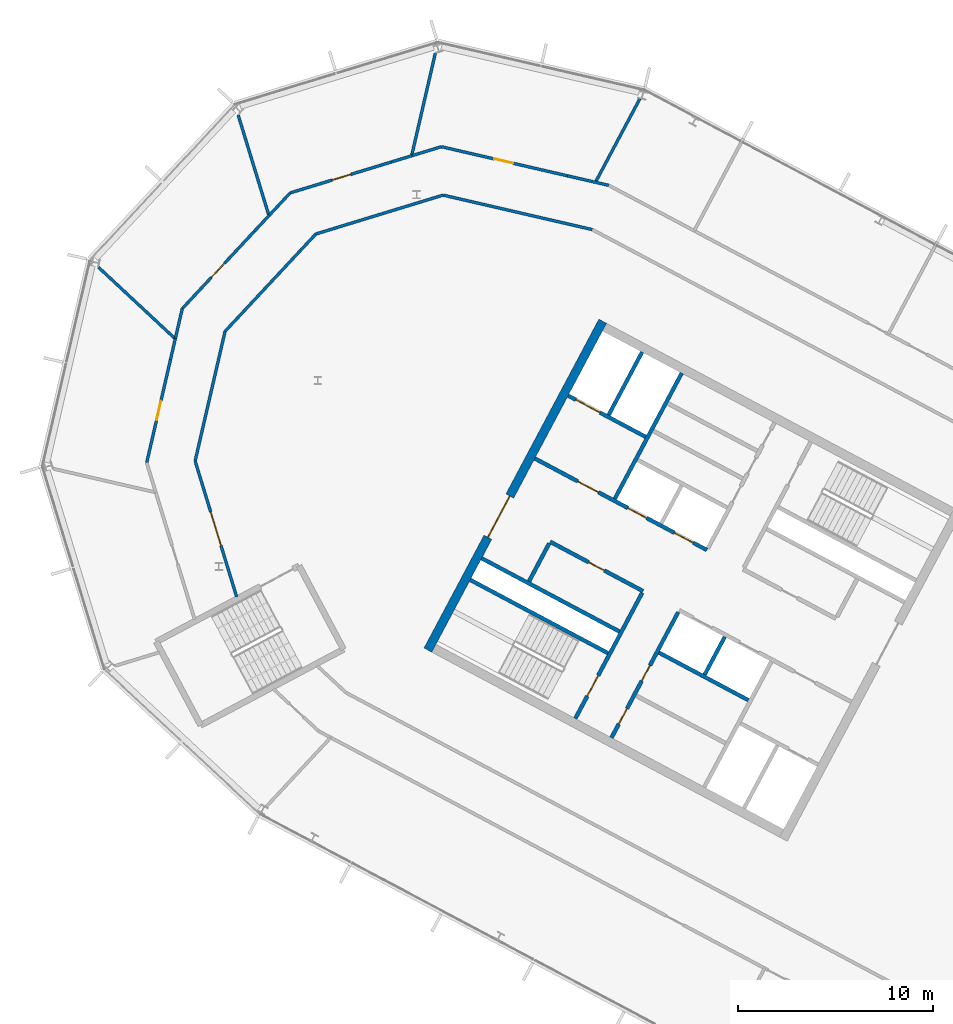
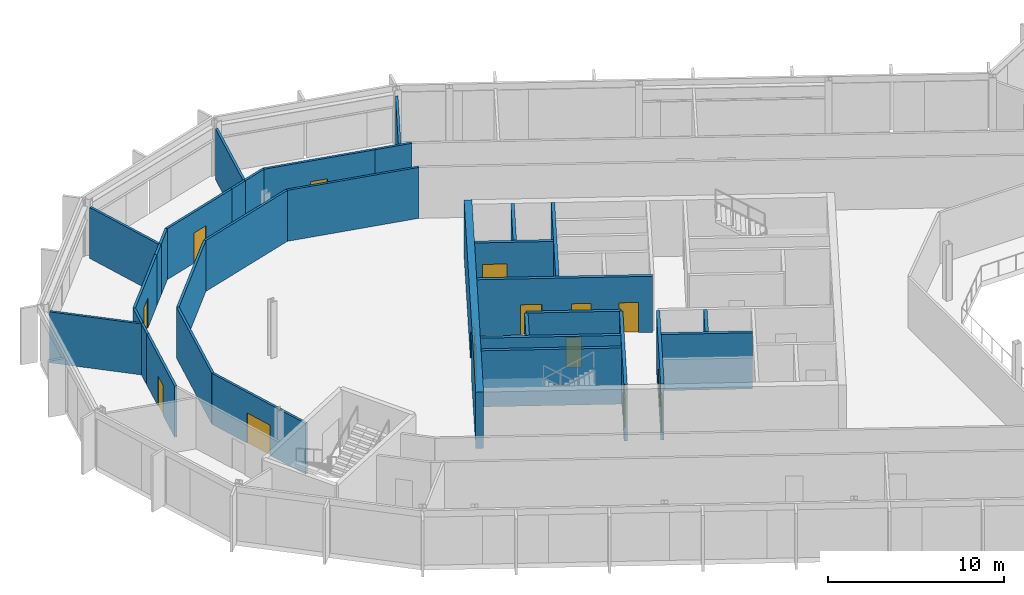
# One storey, part 14 of 26: 33 walls, 14 doors, 14 openings.
"""IFC4 building model written with IfcOpenShell, lengths in metres."""

from ifc_helpers import new_model, si_unit, direction, frame, frame_2d, origin, place, context, subcontext, project, spatial, rectangle, extrude, material, layer, layer_set, type_object, element, fill, save


model = new_model("IFC4")

# Units and contexts
model_context = context("Model", 3, precision=1e-05, world=origin(), true_north=direction((0.0, 1.0)))
body_context = subcontext(model_context, "Body", "Model", "MODEL_VIEW")
ifc_project = project(units=[si_unit("LENGTHUNIT", "METRE"), si_unit("AREAUNIT", "SQUARE_METRE"), si_unit("VOLUMEUNIT", "CUBIC_METRE"), si_unit("PLANEANGLEUNIT", "RADIAN"), si_unit("MASSUNIT", "GRAM", prefix="KILO")], contexts=[model_context])

# Site, building, storey
site_placement = place(None, origin())
site = spatial("IfcSite", under=ifc_project, at=site_placement, CompositionType="ELEMENT")
building_placement = place(site_placement, origin())
building = spatial("IfcBuilding", under=site, at=building_placement, Name="Cormorant Relay Tower", CompositionType="ELEMENT")
storey_placement = place(building_placement, frame((0.0, 0.0, 312.60009765625)))
storey = spatial("IfcBuildingStorey", under=building, at=storey_placement, Name="L71", CompositionType="ELEMENT", Elevation=312.60009765625)

# Wall
ifc_material_1 = material(Name="Concrete 40 MPa", Category="concrete")
ifc_layer_1 = layer(ifc_material_1, 0.199951171875)
ifc_layer_set_1 = layer_set([ifc_layer_1], Name="Core internal wall 200")
wall_type_1 = type_object("IfcWallType", Name="Core internal wall 200", PredefinedType="SOLIDWALL", material=ifc_layer_set_1)
wall_1_placement = place(storey_placement, frame((-25.744140625, 11.64990234375, 0.0), z_axis=(0.0, 0.0, 1.0), x_axis=(-0.469487830541, -0.882938942948, 0.0)))
element("IfcWall", 1, at=wall_1_placement, inside=storey, type_object=wall_type_1, Name="L71 core A shaft and room wall", PredefinedType="SOLIDWALL", context=body_context, shape_type="SweptSolid", body=[
    extrude(rectangle(XDim=2.2001953125, YDim=0.199951171875, at=frame_2d((1.10009765625, 0.0))), origin(), (0.0, 0.0, 1.0), 3.89990234375),
])

# Wall, openings, doors
ifc_material_2 = material(Name="Concrete 50 MPa", Category="concrete")
ifc_layer_2 = layer(ifc_material_2, 0.199951171875)
ifc_layer_set_2 = layer_set([ifc_layer_2], Name="Core shaft wall 200")
wall_type_2 = type_object("IfcWallType", Name="Core shaft wall 200", PredefinedType="SHEAR", material=ifc_layer_set_2)
wall_2_placement = place(storey_placement, frame((-28.128173828125, 12.91748046875, 0.0), z_axis=(0.0, 0.0, 1.0), x_axis=(-0.469454336211, -0.882956752176, 0.0)))
wall_2 = element("IfcWall", 2, at=wall_2_placement, inside=storey, type_object=wall_type_2, Name="L71 core A shaft wall", PredefinedType="SHEAR", context=body_context, shape_type="SweptSolid", body=[
    extrude(rectangle(XDim=7.300048828125, YDim=0.199951171875, at=frame_2d((3.64990234375, 0.0))), origin(), (0.0, 0.0, 1.0), 3.89990234375),
])
opening_1_placement = place(wall_2_placement, frame((3.10009765625, 0.0, 0.0)))
opening_1 = element("IfcOpeningElement", 3, at=opening_1_placement, cuts=wall_2, Name="Opening CDD-345", PredefinedType="OPENING", context=body_context, shape_type="SweptSolid", body=[
    extrude(rectangle(XDim=0.89990234375, YDim=2.10009765625, at=frame_2d((0.449951171875, 1.050048828125))), frame((0.0, 0.10986328125, 0.0), z_axis=(0.0, -1.0, 0.0), x_axis=(1.0, 0.0, 0.0)), (0.0, 0.0, 1.0), 0.219970703125),
])
opening_2_placement = place(wall_2_placement, frame((5.60009765625, 0.0, 0.0)))
opening_2 = element("IfcOpeningElement", 4, at=opening_2_placement, cuts=wall_2, Name="Opening CDD-346", PredefinedType="OPENING", context=body_context, shape_type="SweptSolid", body=[
    extrude(rectangle(XDim=0.89990234375, YDim=2.10009765625, at=frame_2d((0.449951171875, 1.050048828125))), frame((0.0, 0.10986328125, 0.0), z_axis=(0.0, -1.0, 0.0), x_axis=(1.0, 0.0, 0.0)), (0.0, 0.0, 1.0), 0.219970703125),
])
ifc_material_3 = material(Name="Steel fire door", Category="steel")
door_type_1 = type_object("IfcDoorType", Name="Core room door 900x2100", OperationType="SINGLE_SWING_LEFT", PredefinedType="DOOR", material=ifc_material_3)
door_1_placement = place(opening_1_placement, origin())
door_1 = element("IfcDoor", 5, at=door_1_placement, inside=storey, type_object=door_type_1, Name="Core room door 900x2100", OperationType="SINGLE_SWING_LEFT", OverallHeight=2.10009765625, OverallWidth=0.89990234375, PredefinedType="DOOR", context=body_context, shape_type="SweptSolid", body=[
    extrude(rectangle(XDim=0.89990234375, YDim=2.10009765625, at=frame_2d((0.449951171875, 1.050048828125))), frame((0.0, 0.02490234375, 0.0), z_axis=(0.0, -1.0, 0.0), x_axis=(1.0, 0.0, 0.0)), (0.0, 0.0, 1.0), 0.050048828125),
])
fill(opening_1, door_1)
door_2_placement = place(opening_2_placement, origin())
door_2 = element("IfcDoor", 6, at=door_2_placement, inside=storey, type_object=door_type_1, Name="Core room door 900x2100", OperationType="SINGLE_SWING_LEFT", OverallHeight=2.10009765625, OverallWidth=0.89990234375, PredefinedType="DOOR", context=body_context, shape_type="SweptSolid", body=[
    extrude(rectangle(XDim=0.89990234375, YDim=2.10009765625, at=frame_2d((0.449951171875, 1.050048828125))), frame((0.0, 0.02490234375, 0.0), z_axis=(0.0, -1.0, 0.0), x_axis=(1.0, 0.0, 0.0)), (0.0, 0.0, 1.0), 0.050048828125),
])
fill(opening_2, door_2)

# Wall, opening, door
wall_3_placement = place(storey_placement, frame((-29.982421875, 13.9033203125, 0.0), z_axis=(0.0, 0.0, 1.0), x_axis=(-0.469454336211, -0.882956752176, 0.0)))
wall_3 = element("IfcWall", 7, at=wall_3_placement, inside=storey, type_object=wall_type_2, Name="L71 core A shaft wall", PredefinedType="SHEAR", context=body_context, shape_type="SweptSolid", body=[
    extrude(rectangle(XDim=7.300048828125, YDim=0.199951171875, at=frame_2d((3.64990234375, 0.0))), origin(), (0.0, 0.0, 1.0), 3.89990234375),
])
opening_3_placement = place(wall_3_placement, frame((4.800048828125, 0.0, 0.0)))
opening_3 = element("IfcOpeningElement", 8, at=opening_3_placement, cuts=wall_3, Name="Opening CDB-039", PredefinedType="OPENING", context=body_context, shape_type="SweptSolid", body=[
    extrude(rectangle(XDim=1.199951171875, YDim=2.10009765625, at=frame_2d((0.60009765625, 1.050048828125))), frame((0.0, 0.10986328125, 0.0), z_axis=(0.0, -1.0, 0.0), x_axis=(1.0, 0.0, 0.0)), (0.0, 0.0, 1.0), 0.219970703125),
])
ifc_material_4 = material(Name="Steel fire door", Category="steel")
door_type_2 = type_object("IfcDoorType", Name="Core stair door 1200x2100", OperationType="SINGLE_SWING_LEFT", PredefinedType="DOOR", material=ifc_material_4)
door_3_placement = place(opening_3_placement, frame((1.199951171875, 0.0, 0.0), z_axis=(0.0, 0.0, 1.0), x_axis=(-1.0, 0.0, 0.0)))
door_3 = element("IfcDoor", 9, at=door_3_placement, inside=storey, type_object=door_type_2, Name="Core stair door 1200x2100", OperationType="SINGLE_SWING_RIGHT", OverallHeight=2.10009765625, OverallWidth=1.199951171875, PredefinedType="DOOR", context=body_context, shape_type="SweptSolid", body=[
    extrude(rectangle(XDim=1.199951171875, YDim=2.10009765625, at=frame_2d((0.60009765625, 1.050048828125))), frame((0.0, 0.02490234375, 0.0), z_axis=(0.0, -1.0, 0.0), x_axis=(1.0, 0.0, 0.0)), (0.0, 0.0, 1.0), 0.050048828125),
])
fill(opening_3, door_3)

# Walls
wall_4_placement = place(storey_placement, frame((-27.955322265625, 25.170654296875, 0.0), z_axis=(0.0, 0.0, 1.0), x_axis=(-0.469480409012, -0.88294288918, 0.0)))
element("IfcWall", 10, at=wall_4_placement, inside=storey, type_object=wall_type_2, Name="L71 core A shaft wall", PredefinedType="SHEAR", context=body_context, shape_type="SweptSolid", body=[
    extrude(rectangle(XDim=7.300048828125, YDim=0.199951171875, at=frame_2d((3.64990234375, 0.0))), origin(), (0.0, 0.0, 1.0), 3.89990234375),
])
wall_5_placement = place(storey_placement, frame((-34.750244140625, 16.4384765625, 0.0), z_axis=(0.0, 0.0, 1.0), x_axis=(-0.469401318492, -0.882984938828, 0.0)))
element("IfcWall", 11, at=wall_5_placement, inside=storey, type_object=wall_type_2, Name="L71 core A shaft wall", PredefinedType="SHEAR", context=body_context, shape_type="SweptSolid", body=[
    extrude(rectangle(XDim=2.199951171875, YDim=0.199951171875, at=frame_2d((1.10009765625, 0.0))), origin(), (0.0, 0.0, 1.0), 3.89990234375),
])
wall_6_placement = place(storey_placement, frame((-29.986083984375, 26.250244140625, 0.0), z_axis=(0.0, 0.0, 1.0), x_axis=(-0.469494272526, -0.882935517501, 0.0)))
element("IfcWall", 12, at=wall_6_placement, inside=storey, type_object=wall_type_2, Name="L71 core A shaft wall", PredefinedType="SHEAR", context=body_context, shape_type="SweptSolid", body=[
    extrude(rectangle(XDim=3.64990234375, YDim=0.199951171875, at=frame_2d((1.824951171875, 0.0))), origin(), (0.0, 0.0, 1.0), 3.89990234375),
])

# Wall, opening, door
wall_7_placement = place(storey_placement, frame((-29.80419921875, 21.906494140625, 0.0), z_axis=(0.0, 0.0, 1.0), x_axis=(-0.882960433586, 0.469447412093, 0.0)))
wall_7 = element("IfcWall", 13, at=wall_7_placement, inside=storey, type_object=wall_type_2, Name="L71 core A shaft wall", PredefinedType="SHEAR", context=body_context, shape_type="SweptSolid", body=[
    extrude(rectangle(XDim=4.5, YDim=0.199951171875, at=frame_2d((2.25, 0.0))), origin(), (0.0, 0.0, 1.0), 3.89990234375),
])
opening_4_placement = place(wall_7_placement, frame((2.64990234375, 0.0, 0.0)))
opening_4 = element("IfcOpeningElement", 14, at=opening_4_placement, cuts=wall_7, Name="Opening LD3-015", PredefinedType="OPENING", context=body_context, shape_type="SweptSolid", body=[
    extrude(rectangle(XDim=1.39990234375, YDim=2.39990234375, at=frame_2d((0.699951171875, 1.199951171875))), frame((0.0, 0.10986328125, 0.0), z_axis=(0.0, -1.0, 0.0), x_axis=(1.0, 0.0, 0.0)), (0.0, 0.0, 1.0), 0.219970703125),
])
ifc_material_5 = material(Name="Stainless steel 316", Category="steel")
door_type_3 = type_object("IfcDoorType", Name="Lift landing door 1400x2400", OperationType="DOUBLE_DOOR_SLIDING", PredefinedType="DOOR", material=ifc_material_5)
door_4_placement = place(opening_4_placement, origin())
door_4 = element("IfcDoor", 15, at=door_4_placement, inside=storey, type_object=door_type_3, Name="SV1 landing door", OperationType="DOUBLE_DOOR_SLIDING", OverallHeight=2.39990234375, OverallWidth=1.39990234375, PredefinedType="DOOR", context=body_context, shape_type="SweptSolid", body=[
    extrude(rectangle(XDim=1.39990234375, YDim=2.39990234375, at=frame_2d((0.699951171875, 1.199951171875))), frame((0.0, 0.02490234375, 0.0), z_axis=(0.0, -1.0, 0.0), x_axis=(1.0, 0.0, 0.0)), (0.0, 0.0, 1.0), 0.050048828125),
])
fill(opening_4, door_4)

# Wall, openings, doors
wall_8_placement = place(storey_placement, frame((-26.66162109375, 16.1015625, 0.0), z_axis=(0.0, 0.0, 1.0), x_axis=(-0.882940221191, 0.469485426614, 0.0)))
wall_8 = element("IfcWall", 16, at=wall_8_placement, inside=storey, type_object=wall_type_2, Name="L71 core A shaft wall", PredefinedType="SHEAR", context=body_context, shape_type="SweptSolid", body=[
    extrude(rectangle(XDim=10.0, YDim=0.199951171875, at=frame_2d((5.0, 0.0))), origin(), (0.0, 0.0, 1.0), 3.89990234375),
])
opening_5_placement = place(wall_8_placement, frame((6.300048828125, 0.0, 0.0)))
opening_5 = element("IfcOpeningElement", 17, at=opening_5_placement, cuts=wall_8, Name="Opening CDC-034", PredefinedType="OPENING", context=body_context, shape_type="SweptSolid", body=[
    extrude(rectangle(XDim=1.199951171875, YDim=2.10009765625, at=frame_2d((0.60009765625, 1.050048828125))), frame((0.0, 0.10986328125, 0.0), z_axis=(0.0, -1.0, 0.0), x_axis=(1.0, 0.0, 0.0)), (0.0, 0.0, 1.0), 0.219970703125),
])
opening_6_placement = place(wall_8_placement, frame((0.800048828125, 0.0, 0.0)))
opening_6 = element("IfcOpeningElement", 18, at=opening_6_placement, cuts=wall_8, Name="Opening LD1-067", PredefinedType="OPENING", context=body_context, shape_type="SweptSolid", body=[
    extrude(rectangle(XDim=1.10009765625, YDim=2.10009765625, at=frame_2d((0.550048828125, 1.050048828125))), frame((0.0, 0.10986328125, 0.0), z_axis=(0.0, -1.0, 0.0), x_axis=(1.0, 0.0, 0.0)), (0.0, 0.0, 1.0), 0.219970703125),
])
opening_7_placement = place(wall_8_placement, frame((3.5, 0.0, 0.0)))
opening_7 = element("IfcOpeningElement", 19, at=opening_7_placement, cuts=wall_8, Name="Opening LD1-068", PredefinedType="OPENING", context=body_context, shape_type="SweptSolid", body=[
    extrude(rectangle(XDim=1.10009765625, YDim=2.10009765625, at=frame_2d((0.550048828125, 1.050048828125))), frame((0.0, 0.10986328125, 0.0), z_axis=(0.0, -1.0, 0.0), x_axis=(1.0, 0.0, 0.0)), (0.0, 0.0, 1.0), 0.219970703125),
])
ifc_material_6 = material(Name="Steel fire door", Category="steel")
door_type_4 = type_object("IfcDoorType", Name="Core lobby door 1200x2100", OperationType="SINGLE_SWING_LEFT", PredefinedType="DOOR", material=ifc_material_6)
door_5_placement = place(opening_5_placement, origin())
door_5 = element("IfcDoor", 20, at=door_5_placement, inside=storey, type_object=door_type_4, Name="Core lobby door 1200x2100", OperationType="SINGLE_SWING_LEFT", OverallHeight=2.10009765625, OverallWidth=1.199951171875, PredefinedType="DOOR", context=body_context, shape_type="SweptSolid", body=[
    extrude(rectangle(XDim=1.199951171875, YDim=2.10009765625, at=frame_2d((0.60009765625, 1.050048828125))), frame((0.0, 0.02490234375, 0.0), z_axis=(0.0, -1.0, 0.0), x_axis=(1.0, 0.0, 0.0)), (0.0, 0.0, 1.0), 0.050048828125),
])
fill(opening_5, door_5)
ifc_material_7 = material(Name="Stainless steel 316", Category="steel")
door_type_5 = type_object("IfcDoorType", Name="Lift landing door 1100x2100", OperationType="DOUBLE_DOOR_SLIDING", PredefinedType="DOOR", material=ifc_material_7)
door_6_placement = place(opening_6_placement, origin())
door_6 = element("IfcDoor", 21, at=door_6_placement, inside=storey, type_object=door_type_5, Name="HR3 landing door", OperationType="DOUBLE_DOOR_SLIDING", OverallHeight=2.10009765625, OverallWidth=1.10009765625, PredefinedType="DOOR", context=body_context, shape_type="SweptSolid", body=[
    extrude(rectangle(XDim=1.10009765625, YDim=2.10009765625, at=frame_2d((0.550048828125, 1.050048828125))), frame((0.0, 0.02490234375, 0.0), z_axis=(0.0, -1.0, 0.0), x_axis=(1.0, 0.0, 0.0)), (0.0, 0.0, 1.0), 0.050048828125),
])
fill(opening_6, door_6)
door_7_placement = place(opening_7_placement, origin())
door_7 = element("IfcDoor", 22, at=door_7_placement, inside=storey, type_object=door_type_5, Name="HR4 landing door", OperationType="DOUBLE_DOOR_SLIDING", OverallHeight=2.10009765625, OverallWidth=1.10009765625, PredefinedType="DOOR", context=body_context, shape_type="SweptSolid", body=[
    extrude(rectangle(XDim=1.10009765625, YDim=2.10009765625, at=frame_2d((0.550048828125, 1.050048828125))), frame((0.0, 0.02490234375, 0.0), z_axis=(0.0, -1.0, 0.0), x_axis=(1.0, 0.0, 0.0)), (0.0, 0.0, 1.0), 0.050048828125),
])
fill(opening_7, door_7)

# Wall, opening, door
wall_9_placement = place(storey_placement, frame((-29.935302734375, 13.991455078125, 0.0), z_axis=(0.0, 0.0, 1.0), x_axis=(-0.882952937579, 0.469461510692, 0.0)))
wall_9 = element("IfcWall", 23, at=wall_9_placement, inside=storey, type_object=wall_type_2, Name="L71 core A shaft wall", PredefinedType="SHEAR", context=body_context, shape_type="SweptSolid", body=[
    extrude(rectangle(XDim=5.400146484375, YDim=0.199951171875, at=frame_2d((2.7001953125, 0.0))), origin(), (0.0, 0.0, 1.0), 3.89990234375),
])
opening_8_placement = place(wall_9_placement, frame((2.25, 0.0, 0.0)))
opening_8 = element("IfcOpeningElement", 24, at=opening_8_placement, cuts=wall_9, Name="Opening CDD-318", PredefinedType="OPENING", context=body_context, shape_type="SweptSolid", body=[
    extrude(rectangle(XDim=0.89990234375, YDim=2.10009765625, at=frame_2d((0.449951171875, 1.050048828125))), frame((0.0, 0.10986328125, 0.0), z_axis=(0.0, -1.0, 0.0), x_axis=(1.0, 0.0, 0.0)), (0.0, 0.0, 1.0), 0.219970703125),
])
door_8_placement = place(opening_8_placement, origin())
door_8 = element("IfcDoor", 25, at=door_8_placement, inside=storey, type_object=door_type_1, Name="Core room door 900x2100", OperationType="SINGLE_SWING_LEFT", OverallHeight=2.10009765625, OverallWidth=0.89990234375, PredefinedType="DOOR", context=body_context, shape_type="SweptSolid", body=[
    extrude(rectangle(XDim=0.89990234375, YDim=2.10009765625, at=frame_2d((0.449951171875, 1.050048828125))), frame((0.0, 0.02490234375, 0.0), z_axis=(0.0, -1.0, 0.0), x_axis=(1.0, 0.0, 0.0)), (0.0, 0.0, 1.0), 0.050048828125),
])
fill(opening_8, door_8)

# Walls
wall_10_placement = place(storey_placement, frame((-24.5283203125, 8.3984375, 0.0), z_axis=(0.0, 0.0, 1.0), x_axis=(-0.882953967957, 0.469459572775, 0.0)))
element("IfcWall", 26, at=wall_10_placement, inside=storey, type_object=wall_type_2, Name="L71 core A shaft wall", PredefinedType="SHEAR", context=body_context, shape_type="SweptSolid", body=[
    extrude(rectangle(XDim=5.199951171875, YDim=0.199951171875, at=frame_2d((2.60009765625, 0.0))), origin(), (0.0, 0.0, 1.0), 3.89990234375),
])
for number, where, z_axis, x_axis, name in (
    (27, (-31.150390625, 11.91943359375, 0.0), (0.0, 0.0, 1.0), (-0.882940221191, 0.469485426614, 0.0), "L71 core A shaft wall"),
    (28, (-31.7373046875, 10.815673828125, 0.0), (0.0, 0.0, 1.0), (-0.882940221191, 0.469485426614, 0.0), "L71 core A shaft wall"),
):
    element("IfcWall", number, at=place(storey_placement, frame(where, z_axis=z_axis, x_axis=x_axis)), inside=storey, type_object=wall_type_2, Name=name, PredefinedType="SHEAR", context=body_context, shape_type="SweptSolid", body=[
        extrude(rectangle(XDim=8.0, YDim=0.199951171875, at=frame_2d((4.0, 0.0))), origin(), (0.0, 0.0, 1.0), 3.89990234375),
    ])

# Wall, opening, door
ifc_material_8 = material(Name="Concrete 50 MPa", Category="concrete")
ifc_layer_3 = layer(ifc_material_8, 0.449951171875)
ifc_layer_set_3 = layer_set([ifc_layer_3], Name="Core wall 450")
wall_type_3 = type_object("IfcWallType", Name="Core wall 450", PredefinedType="SHEAR", material=ifc_layer_set_3)
wall_11_placement = place(storey_placement, frame((-32.00439453125, 27.8330078125, 0.0), z_axis=(0.0, 0.0, 1.0), x_axis=(-0.469467968382, -0.882949504028, 0.0)))
wall_11 = element("IfcWall", 29, at=wall_11_placement, inside=storey, type_object=wall_type_3, Name="L71 core A wall", PredefinedType="SHEAR", context=body_context, shape_type="SweptSolid", body=[
    extrude(rectangle(XDim=19.099853515625, YDim=0.449951171875, at=frame_2d((9.5498046875, 0.0))), origin(), (0.0, 0.0, 1.0), 3.89990234375),
])
opening_9_placement = place(wall_11_placement, frame((10.14990234375, 0.0, 0.0)))
opening_9 = element("IfcOpeningElement", 30, at=opening_9_placement, cuts=wall_11, Name="Opening CDA-051", PredefinedType="OPENING", context=body_context, shape_type="SweptSolid", body=[
    extrude(rectangle(XDim=2.39990234375, YDim=2.39990234375, at=frame_2d((1.199951171875, 1.199951171875))), frame((0.0, 0.23486328125, 0.0), z_axis=(0.0, -1.0, 0.0), x_axis=(1.0, 0.0, 0.0)), (0.0, 0.0, 1.0), 0.469970703125),
])
ifc_material_9 = material(Name="Steel fire door", Category="steel")
door_type_6 = type_object("IfcDoorType", Name="Core lobby door 2400x2400", OperationType="DOUBLE_DOOR_SINGLE_SWING", PredefinedType="DOOR", material=ifc_material_9)
door_9_placement = place(opening_9_placement, origin())
door_9 = element("IfcDoor", 31, at=door_9_placement, inside=storey, type_object=door_type_6, Name="Core lobby door 2400x2400", OperationType="DOUBLE_DOOR_SINGLE_SWING", OverallHeight=2.39990234375, OverallWidth=2.39990234375, PredefinedType="DOOR", context=body_context, shape_type="SweptSolid", body=[
    extrude(rectangle(XDim=2.39990234375, YDim=2.39990234375, at=frame_2d((1.199951171875, 1.199951171875))), frame((0.0, 0.02490234375, 0.0), z_axis=(0.0, -1.0, 0.0), x_axis=(1.0, 0.0, 0.0)), (0.0, 0.0, 1.0), 0.050048828125),
])
fill(opening_9, door_9)

ifc_material_10 = material(Name="Gypsum board fire partition")
ifc_layer_4 = layer(ifc_material_10, 0.14990234375)
ifc_layer_set_4 = layer_set([ifc_layer_4], Name="Corridor partition 150 EI 60")
wall_type_4 = type_object("IfcWallType", Name="Corridor partition 150 EI 60", PredefinedType="PARTITIONING", material=ifc_layer_set_4)
wall_12_placement = place(storey_placement, frame((-55.39111328125, 20.5791015625, 0.0), z_axis=(0.0, 0.0, 1.0), x_axis=(0.224928528674, 0.974375264972, 0.0)))
wall_12 = element("IfcWall", 32, at=wall_12_placement, inside=storey, type_object=wall_type_4, Name="wall/L71/part/005", PredefinedType="PARTITIONING", context=body_context, shape_type="SweptSolid", body=[
    extrude(rectangle(XDim=5.4248046875, YDim=0.14990234375, at=frame_2d((2.71240234375, 0.0))), origin(), (0.0, 0.0, 1.0), 3.539794921875),
])
opening_10_placement = place(wall_12_placement, frame((2.25, 0.0, 0.0)))
opening_10 = element("IfcOpeningElement", 33, at=opening_10_placement, cuts=wall_12, Name="Opening DS-252", PredefinedType="OPENING", context=body_context, shape_type="SweptSolid", body=[
    extrude(rectangle(XDim=1.0, YDim=2.10009765625, at=frame_2d((0.5, 1.050048828125))), frame((0.0, 0.0849609375, 0.0), z_axis=(0.0, -1.0, 0.0), x_axis=(1.0, 0.0, 0.0)), (0.0, 0.0, 1.0), 0.169921875),
])
ifc_material_11 = material(Name="Timber door leaf", Category="wood")
door_type_7 = type_object("IfcDoorType", Name="Suite door 1000x2100", OperationType="SINGLE_SWING_LEFT", PredefinedType="DOOR", material=ifc_material_11)
door_10_placement = place(opening_10_placement, origin())
door_10 = element("IfcDoor", 34, at=door_10_placement, inside=storey, type_object=door_type_7, Name="door/L71/011", OperationType="SINGLE_SWING_RIGHT", OverallHeight=2.10009765625, OverallWidth=1.0, PredefinedType="DOOR", context=body_context, shape_type="SweptSolid", body=[
    extrude(rectangle(XDim=1.0, YDim=2.10009765625, at=frame_2d((0.5, 1.050048828125))), frame((0.0, 0.02490234375, 0.0), z_axis=(0.0, -1.0, 0.0), x_axis=(1.0, 0.0, 0.0)), (0.0, 0.0, 1.0), 0.050048828125),
])
fill(opening_10, door_10)

# Wall
wall_13_placement = place(storey_placement, frame((-54.1708984375, 25.864990234375, 0.0), z_axis=(0.0, 0.0, 1.0), x_axis=(0.224539202938, 0.974465056502, 0.0)))
element("IfcWall", 35, at=wall_13_placement, inside=storey, type_object=wall_type_4, Name="wall/L71/part/007", PredefinedType="PARTITIONING", context=body_context, shape_type="SweptSolid", body=[
    extrude(rectangle(XDim=1.11328125, YDim=0.14990234375, at=frame_2d((0.556640625, 0.0))), origin(), (0.0, 0.0, 1.0), 3.539794921875),
])

# Wall, opening, door
wall_14_placement = place(storey_placement, frame((-49.867919921875, 32.448974609375, 0.0), z_axis=(0.0, 0.0, 1.0), x_axis=(-0.681963747557, -0.731385976771, 0.0)))
wall_14 = element("IfcWall", 36, at=wall_14_placement, inside=storey, type_object=wall_type_4, Name="wall/L71/part/008", PredefinedType="PARTITIONING", context=body_context, shape_type="SweptSolid", body=[
    extrude(rectangle(XDim=5.424072265625, YDim=0.14990234375, at=frame_2d((2.7119140625, 0.0))), origin(), (0.0, 0.0, 1.0), 3.539794921875),
])
opening_11_placement = place(wall_14_placement, frame((2.25, 0.0, 0.0)))
opening_11 = element("IfcOpeningElement", 37, at=opening_11_placement, cuts=wall_14, Name="Opening DS-251", PredefinedType="OPENING", context=body_context, shape_type="SweptSolid", body=[
    extrude(rectangle(XDim=1.0, YDim=2.10009765625, at=frame_2d((0.5, 1.050048828125))), frame((0.0, 0.0849609375, 0.0), z_axis=(0.0, -1.0, 0.0), x_axis=(1.0, 0.0, 0.0)), (0.0, 0.0, 1.0), 0.169921875),
])
door_11_placement = place(opening_11_placement, frame((1.0, 0.0, 0.0), z_axis=(0.0, 0.0, 1.0), x_axis=(-1.0, 0.0, 0.0)))
door_11 = element("IfcDoor", 38, at=door_11_placement, inside=storey, type_object=door_type_7, Name="door/L71/010", OperationType="SINGLE_SWING_RIGHT", OverallHeight=2.10009765625, OverallWidth=1.0, PredefinedType="DOOR", context=body_context, shape_type="SweptSolid", body=[
    extrude(rectangle(XDim=1.0, YDim=2.10009765625, at=frame_2d((0.5, 1.050048828125))), frame((0.0, 0.02490234375, 0.0), z_axis=(0.0, -1.0, 0.0), x_axis=(1.0, 0.0, 0.0)), (0.0, 0.0, 1.0), 0.050048828125),
])
fill(opening_11, door_11)

# Wall
wall_15_placement = place(storey_placement, frame((-53.56689453125, 28.48193359375, 0.0), z_axis=(0.0, 0.0, 1.0), x_axis=(-0.225142997663, -0.974325731264, 0.0)))
element("IfcWall", 39, at=wall_15_placement, inside=storey, type_object=wall_type_4, Name="wall/L71/part/009", PredefinedType="PARTITIONING", context=body_context, shape_type="SweptSolid", body=[
    extrude(rectangle(XDim=1.572265625, YDim=0.14990234375, at=frame_2d((0.7861328125, 0.0))), origin(), (0.0, 0.0, 1.0), 3.539794921875),
])

# Wall, opening, door
wall_16_placement = place(storey_placement, frame((-50.778076171875, 13.699951171875, 0.0), z_axis=(0.0, 0.0, 1.0), x_axis=(-0.292389680205, 0.956299260122, 0.0)))
wall_16 = element("IfcWall", 40, at=wall_16_placement, inside=storey, type_object=wall_type_4, Name="wall/L71/part/011", PredefinedType="PARTITIONING", context=body_context, shape_type="SweptSolid", body=[
    extrude(rectangle(XDim=7.284423828125, YDim=0.14990234375, at=frame_2d((3.64208984375, 0.0))), origin(), (0.0, 0.0, 1.0), 3.539794921875),
])
opening_12_placement = place(wall_16_placement, frame((2.75, 0.0, 0.0)))
opening_12 = element("IfcOpeningElement", 41, at=opening_12_placement, cuts=wall_16, Name="Opening DD-042", PredefinedType="OPENING", context=body_context, shape_type="SweptSolid", body=[
    extrude(rectangle(XDim=1.800048828125, YDim=2.10009765625, at=frame_2d((0.89990234375, 1.050048828125))), frame((0.0, 0.0849609375, 0.0), z_axis=(0.0, -1.0, 0.0), x_axis=(1.0, 0.0, 0.0)), (0.0, 0.0, 1.0), 0.169921875),
])
ifc_material_12 = material(Name="Timber door leaf", Category="wood")
door_type_8 = type_object("IfcDoorType", Name="Suite double door 1800x2100", OperationType="DOUBLE_DOOR_SINGLE_SWING", PredefinedType="DOOR", material=ifc_material_12)
door_12_placement = place(opening_12_placement, frame((1.800048828125, 0.0, 0.0), z_axis=(0.0, 0.0, 1.0), x_axis=(-1.0, 0.0, 0.0)))
door_12 = element("IfcDoor", 42, at=door_12_placement, inside=storey, type_object=door_type_8, Name="door/L71/001", OperationType="DOUBLE_DOOR_SINGLE_SWING", OverallHeight=2.10009765625, OverallWidth=1.800048828125, PredefinedType="DOOR", context=body_context, shape_type="SweptSolid", body=[
    extrude(rectangle(XDim=1.800048828125, YDim=2.10009765625, at=frame_2d((0.89990234375, 1.050048828125))), frame((0.0, 0.02490234375, 0.0), z_axis=(0.0, -1.0, 0.0), x_axis=(1.0, 0.0, 0.0)), (0.0, 0.0, 1.0), 0.050048828125),
])
fill(opening_12, door_12)

# Walls
wall_17_placement = place(storey_placement, frame((-52.907958984375, 20.666015625, 0.0), z_axis=(0.0, 0.0, 1.0), x_axis=(0.224903921074, 0.974380945157, 0.0)))
element("IfcWall", 43, at=wall_17_placement, inside=storey, type_object=wall_type_4, Name="wall/L71/part/012", PredefinedType="PARTITIONING", context=body_context, shape_type="SweptSolid", body=[
    extrude(rectangle(XDim=6.82470703125, YDim=0.14990234375, at=frame_2d((3.412353515625, 0.0))), origin(), (0.0, 0.0, 1.0), 3.539794921875),
])
wall_18_placement = place(storey_placement, frame((-51.373046875, 27.31591796875, 0.0), z_axis=(0.0, 0.0, 1.0), x_axis=(0.681990592771, 0.731360944658, 0.0)))
element("IfcWall", 44, at=wall_18_placement, inside=storey, type_object=wall_type_4, Name="wall/L71/part/013", PredefinedType="PARTITIONING", context=body_context, shape_type="SweptSolid", body=[
    extrude(rectangle(XDim=6.82421875, YDim=0.14990234375, at=frame_2d((3.412109375, 0.0))), origin(), (0.0, 0.0, 1.0), 3.539794921875),
])
wall_19_placement = place(storey_placement, frame((-46.718994140625, 32.306884765625, 0.0), z_axis=(0.0, 0.0, 1.0), x_axis=(0.95630656764, 0.292365778928, 0.0)))
element("IfcWall", 45, at=wall_19_placement, inside=storey, type_object=wall_type_4, Name="wall/L71/part/014", PredefinedType="PARTITIONING", context=body_context, shape_type="SweptSolid", body=[
    extrude(rectangle(XDim=6.823974609375, YDim=0.14990234375, at=frame_2d((3.412109375, 0.0))), origin(), (0.0, 0.0, 1.0), 3.539794921875),
])
wall_20_placement = place(storey_placement, frame((-40.193115234375, 34.302001953125, 0.0), z_axis=(0.0, 0.0, 1.0), x_axis=(0.974357128631, -0.225007079636, 0.0)))
element("IfcWall", 46, at=wall_20_placement, inside=storey, type_object=wall_type_4, Name="wall/L71/part/015", PredefinedType="PARTITIONING", context=body_context, shape_type="SweptSolid", body=[
    extrude(rectangle(XDim=7.853515625, YDim=0.14990234375, at=frame_2d((3.9267578125, 0.0))), origin(), (0.0, 0.0, 1.0), 3.539794921875),
])
wall_21_placement = place(storey_placement, frame((-49.867919921875, 32.448974609375, 0.0), z_axis=(0.0, 0.0, 1.0), x_axis=(0.682029372067, 0.731324781227, 0.0)))
element("IfcWall", 47, at=wall_21_placement, inside=storey, type_object=wall_type_4, Name="wall/L71/part/026", PredefinedType="PARTITIONING", context=body_context, shape_type="SweptSolid", body=[
    extrude(rectangle(XDim=1.1142578125, YDim=0.14990234375, at=frame_2d((0.55712890625, 0.0))), origin(), (0.0, 0.0, 1.0), 3.539794921875),
])
wall_22_placement = place(storey_placement, frame((-48.034912109375, 34.4140625, 0.0), z_axis=(0.0, 0.0, 1.0), x_axis=(-0.682157860234, -0.731204932779, 0.0)))
element("IfcWall", 48, at=wall_22_placement, inside=storey, type_object=wall_type_4, Name="wall/L71/part/029", PredefinedType="PARTITIONING", context=body_context, shape_type="SweptSolid", body=[
    extrude(rectangle(XDim=1.572998046875, YDim=0.14990234375, at=frame_2d((0.78662109375, 0.0))), origin(), (0.0, 0.0, 1.0), 3.539794921875),
])

# Wall, opening, door
wall_23_placement = place(storey_placement, frame((-48.035888671875, 34.4140625, 0.0), z_axis=(0.0, 0.0, 1.0), x_axis=(0.956314531939, 0.292339727034, 0.0)))
wall_23 = element("IfcWall", 49, at=wall_23_placement, inside=storey, type_object=wall_type_4, Name="wall/L71/part/030", PredefinedType="PARTITIONING", context=body_context, shape_type="SweptSolid", body=[
    extrude(rectangle(XDim=5.425048828125, YDim=0.14990234375, at=frame_2d((2.71240234375, 0.0))), origin(), (0.0, 0.0, 1.0), 3.539794921875),
])
opening_13_placement = place(wall_23_placement, frame((2.25, 0.0, 0.0)))
opening_13 = element("IfcOpeningElement", 50, at=opening_13_placement, cuts=wall_23, Name="Opening DS-250", PredefinedType="OPENING", context=body_context, shape_type="SweptSolid", body=[
    extrude(rectangle(XDim=1.0, YDim=2.10009765625, at=frame_2d((0.5, 1.050048828125))), frame((0.0, 0.0849609375, 0.0), z_axis=(0.0, -1.0, 0.0), x_axis=(1.0, 0.0, 0.0)), (0.0, 0.0, 1.0), 0.169921875),
])
door_13_placement = place(opening_13_placement, origin())
door_13 = element("IfcDoor", 51, at=door_13_placement, inside=storey, type_object=door_type_7, Name="door/L71/009", OperationType="SINGLE_SWING_RIGHT", OverallHeight=2.10009765625, OverallWidth=1.0, PredefinedType="DOOR", context=body_context, shape_type="SweptSolid", body=[
    extrude(rectangle(XDim=1.0, YDim=2.10009765625, at=frame_2d((0.5, 1.050048828125))), frame((0.0, 0.02490234375, 0.0), z_axis=(0.0, -1.0, 0.0), x_axis=(1.0, 0.0, 0.0)), (0.0, 0.0, 1.0), 0.050048828125),
])
fill(opening_13, door_13)

# Wall
wall_24_placement = place(storey_placement, frame((-42.847900390625, 36.0, 0.0), z_axis=(0.0, 0.0, 1.0), x_axis=(0.95646384432, 0.291850842914, 0.0)))
element("IfcWall", 52, at=wall_24_placement, inside=storey, type_object=wall_type_4, Name="wall/L71/part/034", PredefinedType="PARTITIONING", context=body_context, shape_type="SweptSolid", body=[
    extrude(rectangle(XDim=1.113525390625, YDim=0.14990234375, at=frame_2d((0.556640625, 0.0))), origin(), (0.0, 0.0, 1.0), 3.539794921875),
])

# Wall, opening, door
wall_25_placement = place(storey_placement, frame((-33.818115234375, 35.29296875, 0.0), z_axis=(0.0, 0.0, 1.0), x_axis=(-0.974359538852, 0.224996642304, 0.0)))
wall_25 = element("IfcWall", 53, at=wall_25_placement, inside=storey, type_object=wall_type_4, Name="wall/L71/part/036", PredefinedType="PARTITIONING", context=body_context, shape_type="SweptSolid", body=[
    extrude(rectangle(XDim=6.630859375, YDim=0.14990234375, at=frame_2d((3.3154296875, 0.0))), origin(), (0.0, 0.0, 1.0), 3.539794921875),
])
opening_14_placement = place(wall_25_placement, frame((2.85009765625, 0.0, 0.0)))
opening_14 = element("IfcOpeningElement", 54, at=opening_14_placement, cuts=wall_25, Name="Opening DS-249", PredefinedType="OPENING", context=body_context, shape_type="SweptSolid", body=[
    extrude(rectangle(XDim=1.0, YDim=2.10009765625, at=frame_2d((0.5, 1.050048828125))), frame((0.0, 0.0849609375, 0.0), z_axis=(0.0, -1.0, 0.0), x_axis=(1.0, 0.0, 0.0)), (0.0, 0.0, 1.0), 0.169921875),
])
door_14_placement = place(opening_14_placement, frame((1.0, 0.0, 0.0), z_axis=(0.0, 0.0, 1.0), x_axis=(-1.0, 0.0, 0.0)))
door_14 = element("IfcDoor", 55, at=door_14_placement, inside=storey, type_object=door_type_7, Name="door/L71/008", OperationType="SINGLE_SWING_RIGHT", OverallHeight=2.10009765625, OverallWidth=1.0, PredefinedType="DOOR", context=body_context, shape_type="SweptSolid", body=[
    extrude(rectangle(XDim=1.0, YDim=2.10009765625, at=frame_2d((0.5, 1.050048828125))), frame((0.0, 0.02490234375, 0.0), z_axis=(0.0, -1.0, 0.0), x_axis=(1.0, 0.0, 0.0)), (0.0, 0.0, 1.0), 0.050048828125),
])
fill(opening_14, door_14)

# Walls
wall_26_placement = place(storey_placement, frame((-40.279052734375, 36.784912109375, 0.0), z_axis=(0.0, 0.0, 1.0), x_axis=(-0.956274411062, -0.292470940007, 0.0)))
element("IfcWall", 56, at=wall_26_placement, inside=storey, type_object=wall_type_4, Name="wall/L71/part/037", PredefinedType="PARTITIONING", context=body_context, shape_type="SweptSolid", body=[
    extrude(rectangle(XDim=1.57275390625, YDim=0.14990234375, at=frame_2d((0.786376953125, 0.0))), origin(), (0.0, 0.0, 1.0), 3.539794921875),
])
wall_27_placement = place(storey_placement, frame((-33.818115234375, 35.29296875, 0.0), z_axis=(0.0, 0.0, 1.0), x_axis=(0.974430804051, -0.22468780144, 0.0)))
element("IfcWall", 57, at=wall_27_placement, inside=storey, type_object=wall_type_4, Name="wall/L71/part/038", PredefinedType="PARTITIONING", context=body_context, shape_type="SweptSolid", body=[
    extrude(rectangle(XDim=2.1806640625, YDim=0.14990234375, at=frame_2d((1.09033203125, 0.0))), origin(), (0.0, 0.0, 1.0), 3.539794921875),
])
ifc_material_13 = material(Name="Gypsum board partition")
ifc_layer_5 = layer(ifc_material_13, 0.14990234375)
ifc_layer_set_5 = layer_set([ifc_layer_5], Name="Tenant partition 150")
wall_type_5 = type_object("IfcWallType", Name="Tenant partition 150", PredefinedType="PARTITIONING", material=ifc_layer_set_5)
wall_28_placement = place(storey_placement, frame((-57.8720703125, 30.60791015625, 0.0), z_axis=(0.0, 0.0, 1.0), x_axis=(0.731511015974, -0.681829622052, 0.0)))
element("IfcWall", 58, at=wall_28_placement, inside=storey, type_object=wall_type_5, Name="wall/L71/part/002", PredefinedType="PARTITIONING", context=body_context, shape_type="SweptSolid", body=[
    extrude(rectangle(XDim=5.395751953125, YDim=0.14990234375, at=frame_2d((2.69775390625, 0.0))), origin(), (0.0, 0.0, 1.0), 3.539794921875),
])
wall_29_placement = place(storey_placement, frame((-50.699951171875, 38.406005859375, 0.0), z_axis=(0.0, 0.0, 1.0), x_axis=(0.292530149482, -0.956256300185, 0.0)))
element("IfcWall", 59, at=wall_29_placement, inside=storey, type_object=wall_type_5, Name="wall/L71/part/010", PredefinedType="PARTITIONING", context=body_context, shape_type="SweptSolid", body=[
    extrude(rectangle(XDim=5.393798828125, YDim=0.14990234375, at=frame_2d((2.69677734375, 0.0))), origin(), (0.0, 0.0, 1.0), 3.539794921875),
])
wall_30_placement = place(storey_placement, frame((-40.590087890625, 41.574951171875, 0.0), z_axis=(0.0, 0.0, 1.0), x_axis=(-0.224859506699, -0.974391195695, 0.0)))
element("IfcWall", 60, at=wall_30_placement, inside=storey, type_object=wall_type_5, Name="wall/L71/part/035", PredefinedType="PARTITIONING", context=body_context, shape_type="SweptSolid", body=[
    extrude(rectangle(XDim=5.39404296875, YDim=0.14990234375, at=frame_2d((2.697021484375, 0.0))), origin(), (0.0, 0.0, 1.0), 3.539794921875),
])
wall_31_placement = place(storey_placement, frame((-30.097900390625, 39.2470703125, 0.0), z_axis=(0.0, 0.0, 1.0), x_axis=(-0.469483686589, -0.882941146412, 0.0)))
element("IfcWall", 61, at=wall_31_placement, inside=storey, type_object=wall_type_5, Name="wall/L71/part/041", PredefinedType="PARTITIONING", context=body_context, shape_type="SweptSolid", body=[
    extrude(rectangle(XDim=4.8544921875, YDim=0.14990234375, at=frame_2d((2.42724609375, 0.0))), origin(), (0.0, 0.0, 1.0), 3.539794921875),
])

save(model, "model.ifc")
